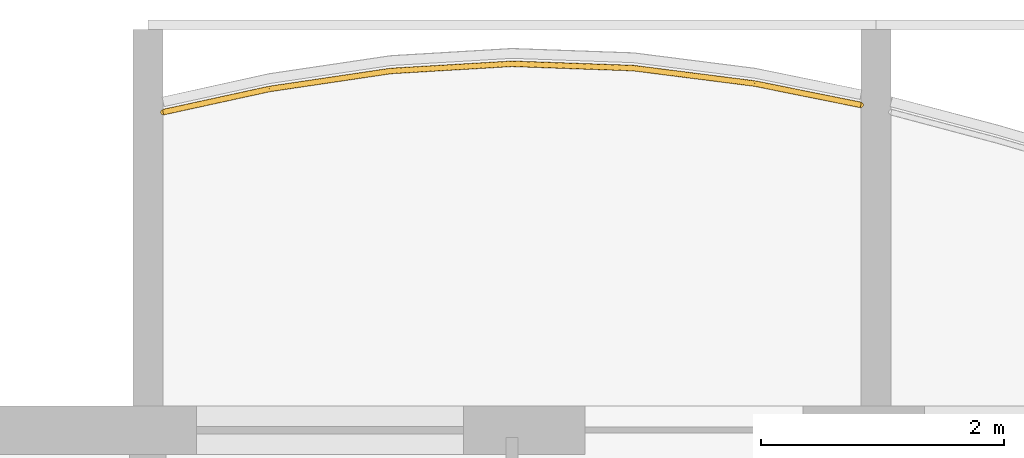
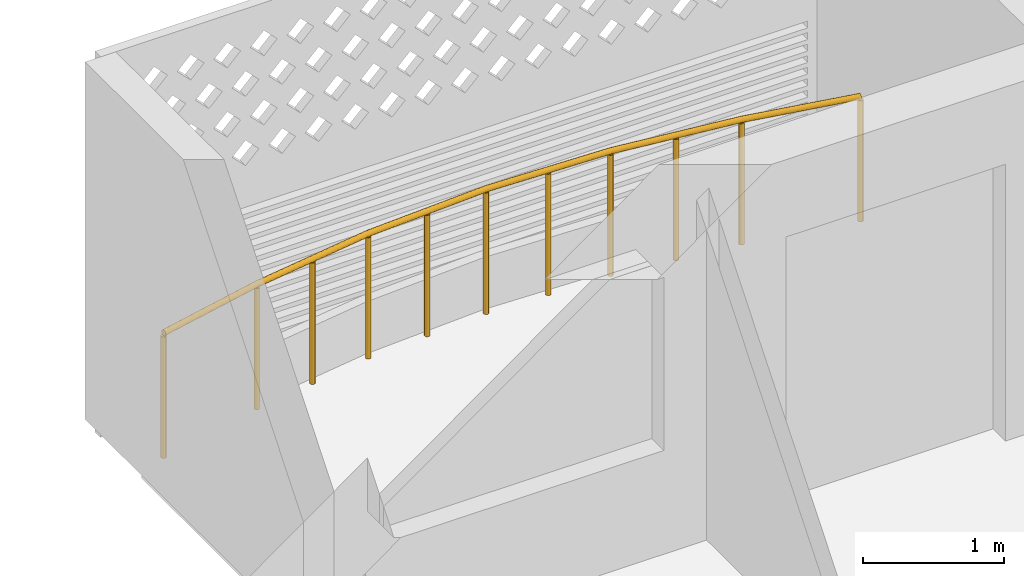
# One storey, part 16 of 31: 1 railing.
"""IFC4 building model written with IfcOpenShell, lengths in metres."""

from ifc_helpers import new_model, si_unit, direction, frame, origin, origin_2d, place, context, subcontext, project, spatial, circle, extrude, material, type_object, element, save


model = new_model("IFC4")

# Units and contexts
model_context = context("Model", 3, precision=1e-05, world=origin(), true_north=direction((0.0, 1.0)))
body_context = subcontext(model_context, "Body", "Model", "MODEL_VIEW")
ifc_project = project(units=[si_unit("LENGTHUNIT", "METRE"), si_unit("AREAUNIT", "SQUARE_METRE"), si_unit("VOLUMEUNIT", "CUBIC_METRE"), si_unit("PLANEANGLEUNIT", "RADIAN"), si_unit("MASSUNIT", "GRAM", prefix="KILO")], contexts=[model_context])

# Site, building, storey
site_placement = place(None, origin())
site = spatial("IfcSite", under=ifc_project, at=site_placement, CompositionType="ELEMENT")
building_placement = place(site_placement, origin())
building = spatial("IfcBuilding", under=site, at=building_placement, Name="Poui Terraces", CompositionType="ELEMENT")
storey_placement = place(building_placement, frame((0.0, 0.0, 142.199951171875)))
storey = spatial("IfcBuildingStorey", under=building, at=storey_placement, Name="L39", CompositionType="ELEMENT", Elevation=142.199951171875)

# Railing
ifc_material = material(Name="Painted steel fretwork", Category="steel")
railing_type = type_object("IfcRailingType", Name="BALCONY GUARD 1100", PredefinedType="GUARDRAIL", material=ifc_material)
railing_placement = place(storey_placement, frame((18.125, 45.0205078125, 0.0)))
element("IfcRailing", 1, at=railing_placement, inside=storey, type_object=railing_type, Name="BALCONY GUARD", PredefinedType="GUARDRAIL", context=body_context, shape_type="SweptSolid", body=[
    extrude(circle(Radius=0.02392578125, at=origin_2d()), frame((0.0, 0.0, 1.076171875), z_axis=(0.977013696832, 0.213176537646, 0.0), x_axis=(-0.213176537646, 0.977013696832, 0.0)), (0.0, 0.0, 1.0), 0.8955078125),
    extrude(circle(Radius=0.02392578125, at=origin_2d()), frame((0.875, 0.19091796875, 1.076171875), z_axis=(0.989161931015, 0.146828724135, 0.0), x_axis=(-0.146828724135, 0.989161931015, 0.0)), (0.0, 0.0, 1.0), 1.010986328125),
    extrude(circle(Radius=0.02392578125, at=origin_2d()), frame((1.875, 0.33935546875, 1.076171875), z_axis=(0.998244834412, 0.05922204462, 0.0), x_axis=(-0.05922204462, 0.998244834412, 0.0)), (0.0, 0.0, 1.0), 1.001708984375),
    extrude(circle(Radius=0.02392578125, at=origin_2d()), frame((2.875, 0.398681640625, 1.076171875), z_axis=(0.999365338401, -0.035621909035, 0.0), x_axis=(0.035621909035, 0.999365338401, 0.0)), (0.0, 0.0, 1.0), 1.000732421875),
    extrude(circle(Radius=0.02392578125, at=origin_2d()), frame((3.875, 0.363037109375, 1.076171875), z_axis=(0.992007284566, -0.126180614077, 0.0), x_axis=(0.126180614077, 0.992007284566, 0.0)), (0.0, 0.0, 1.0), 1.008056640625),
    extrude(circle(Radius=0.02392578125, at=origin_2d()), frame((4.875, 0.23583984375, 1.076171875), z_axis=(0.98030619905, -0.197483559072, 0.0), x_axis=(0.197483559072, 0.98030619905, 0.0)), (0.0, 0.0, 1.0), 0.892578125),
    extrude(circle(Radius=0.02099609375, at=origin_2d()), origin(), (0.0, 0.0, 1.0), 1.052001953125),
    extrude(circle(Radius=0.02099609375, at=origin_2d()), frame((0.875, 0.19091796875, 0.0)), (0.0, 0.0, 1.0), 1.052001953125),
    extrude(circle(Radius=0.02099609375, at=origin_2d()), frame((1.375, 0.26513671875, 0.0)), (0.0, 0.0, 1.0), 1.052001953125),
    extrude(circle(Radius=0.02099609375, at=origin_2d()), frame((1.875, 0.33935546875, 0.0)), (0.0, 0.0, 1.0), 1.052001953125),
    extrude(circle(Radius=0.02099609375, at=origin_2d()), frame((2.375, 0.369140625, 0.0)), (0.0, 0.0, 1.0), 1.052001953125),
    extrude(circle(Radius=0.02099609375, at=origin_2d()), frame((2.875, 0.398681640625, 0.0)), (0.0, 0.0, 1.0), 1.052001953125),
    extrude(circle(Radius=0.02099609375, at=origin_2d()), frame((3.375, 0.380859375, 0.0)), (0.0, 0.0, 1.0), 1.052001953125),
    extrude(circle(Radius=0.02099609375, at=origin_2d()), frame((3.875, 0.363037109375, 0.0)), (0.0, 0.0, 1.0), 1.052001953125),
    extrude(circle(Radius=0.02099609375, at=origin_2d()), frame((4.375, 0.29931640625, 0.0)), (0.0, 0.0, 1.0), 1.052001953125),
    extrude(circle(Radius=0.02099609375, at=origin_2d()), frame((4.875, 0.23583984375, 0.0)), (0.0, 0.0, 1.0), 1.052001953125),
    extrude(circle(Radius=0.02099609375, at=origin_2d()), frame((5.75, 0.0595703125, 0.0)), (0.0, 0.0, 1.0), 1.052001953125),
])

save(model, "model.ifc")
